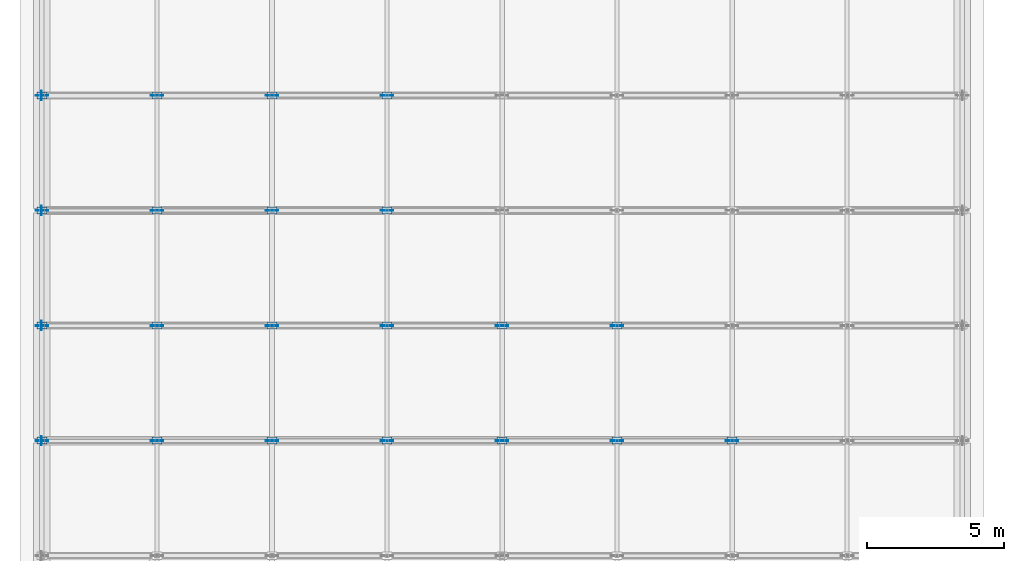
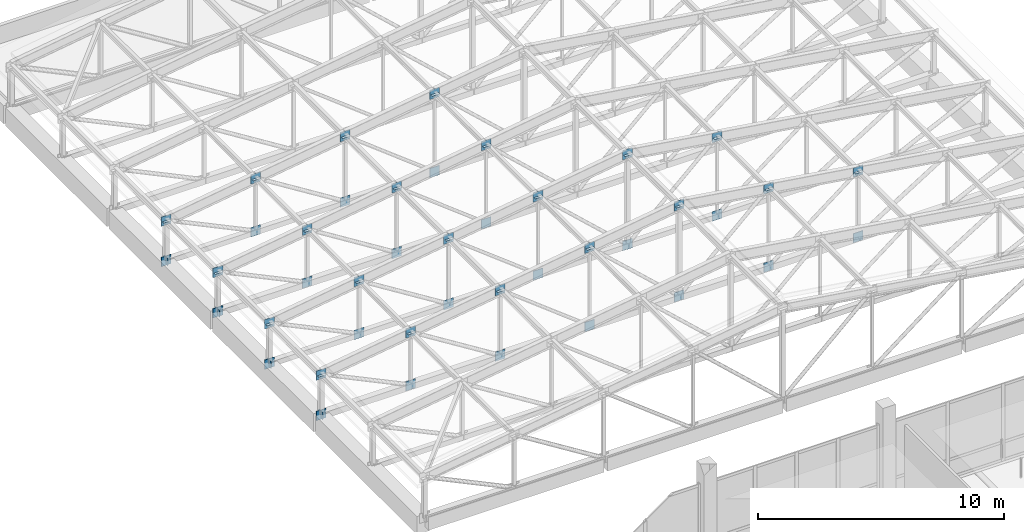
# One storey, part 49 of 122: 67 plates.
"""IFC4 building model written with IfcOpenShell, lengths in metres."""

from ifc_helpers import new_model, si_unit, direction, frame, origin, origin_2d, place, context, subcontext, project, spatial, rectangle, extrude, material, layer, layer_set, type_object, element, save


model = new_model("IFC4")

# Units and contexts
model_context = context("Model", 3, precision=1e-05, world=origin(), true_north=direction((0.0, 1.0)))
body_context = subcontext(model_context, "Body", "Model", "MODEL_VIEW")
ifc_project = project(units=[si_unit("LENGTHUNIT", "METRE"), si_unit("AREAUNIT", "SQUARE_METRE"), si_unit("VOLUMEUNIT", "CUBIC_METRE"), si_unit("PLANEANGLEUNIT", "RADIAN"), si_unit("MASSUNIT", "GRAM", prefix="KILO")], contexts=[model_context])

# Site, building, storey
site_placement = place(None, origin())
site = spatial("IfcSite", under=ifc_project, at=site_placement, CompositionType="ELEMENT")
building_placement = place(site_placement, origin())
building = spatial("IfcBuilding", under=site, at=building_placement, Name="Telukmera Botanical Conservatory", CompositionType="ELEMENT")
storey_placement = place(building_placement, frame((0.0, 0.0, 10.199951171875)))
storey = spatial("IfcBuildingStorey", under=building, at=storey_placement, Name="L02", CompositionType="ELEMENT", Elevation=10.199951171875)

# Plates
ifc_material = material(Name="Steel S355", Category="steel")
ifc_layer_1 = layer(ifc_material, 0.01611328125)
ifc_layer_set_1 = layer_set([ifc_layer_1], Name="Steel S355")
plate_type_1 = type_object("IfcPlateType", Name="Plate_CP1", PredefinedType="USERDEFINED", material=ifc_layer_set_1)
for number, where, z_axis, x_axis, name in (
    (1, (8.39990234375, 91.60009765625, 1.89404296875), (0.0, 0.0, 1.0), (1.0, 0.0, 0.0), "CP1 Truss Chord Node Cap Plate T3-T0"),
    (2, (12.60009765625, 91.60009765625, 2.521728515625), (0.0, 0.0, 1.0), (1.0, 0.0, 0.0), "CP1 Truss Chord Node Cap Plate T3-T1"),
    (3, (16.800048828125, 91.60009765625, 3.1494140625), (0.0, 0.0, 1.0), (1.0, 0.0, 0.0), "CP1 Truss Chord Node Cap Plate T3-T2"),
    (4, (21.0, 91.60009765625, 3.777099609375), (0.0, 0.0, 1.0), (1.0, 0.0, 0.0), "CP1 Truss Chord Node Cap Plate T3-T3"),
    (5, (25.199951171875, 91.60009765625, 4.40478515625), (0.0, 0.0, 1.0), (1.0, 0.0, 0.0), "CP1 Truss Chord Node Cap Plate T3-T4"),
    (6, (29.39990234375, 91.60009765625, 3.777099609375), (0.0, 0.0, 1.0), (1.0, 0.0, 0.0), "CP1 Truss Chord Node Cap Plate T3-T5"),
    (7, (33.60009765625, 91.60009765625, 3.1494140625), (0.0, 0.0, 1.0), (1.0, 0.0, 0.0), "CP1 Truss Chord Node Cap Plate T3-T6"),
):
    element("IfcPlate", number, at=place(storey_placement, frame(where, z_axis=z_axis, x_axis=x_axis)), inside=storey, type_object=plate_type_1, Name=name, ObjectType="CAP_PLATE", PredefinedType="USERDEFINED", context=body_context, shape_type="SweptSolid", body=[
        extrude(rectangle(XDim=0.360107421875, YDim=0.260009765625, at=origin_2d()), origin(), (0.0, 0.0, 1.0), 0.01611328125),
    ])
plate_1_placement = place(storey_placement, frame((8.39208984375, 91.60009765625, -0.25), z_axis=(0.0, 0.0, 1.0), x_axis=(1.0, 0.0, 0.0)))
element("IfcPlate", 8, at=plate_1_placement, inside=storey, type_object=plate_type_1, Name="CP1 Truss Bottom Chord End Cap T3-W", ObjectType="CAP_PLATE", PredefinedType="USERDEFINED", context=body_context, shape_type="SweptSolid", body=[
    extrude(rectangle(XDim=0.01611328125, YDim=0.340087890625, at=origin_2d()), origin(), (0.0, 0.0, 1.0), 0.340087890625),
])
for number, where, z_axis, x_axis, name in (
    (9, (8.39990234375, 95.800048828125, 1.89404296875), (0.0, 0.0, 1.0), (1.0, 0.0, 0.0), "CP1 Truss Chord Node Cap Plate T4-T0"),
    (10, (12.60009765625, 95.800048828125, 2.521728515625), (0.0, 0.0, 1.0), (1.0, 0.0, 0.0), "CP1 Truss Chord Node Cap Plate T4-T1"),
    (11, (16.800048828125, 95.800048828125, 3.1494140625), (0.0, 0.0, 1.0), (1.0, 0.0, 0.0), "CP1 Truss Chord Node Cap Plate T4-T2"),
    (12, (21.0, 95.800048828125, 3.777099609375), (0.0, 0.0, 1.0), (1.0, 0.0, 0.0), "CP1 Truss Chord Node Cap Plate T4-T3"),
    (13, (25.199951171875, 95.800048828125, 4.40478515625), (0.0, 0.0, 1.0), (1.0, 0.0, 0.0), "CP1 Truss Chord Node Cap Plate T4-T4"),
    (14, (29.39990234375, 95.800048828125, 3.777099609375), (0.0, 0.0, 1.0), (1.0, 0.0, 0.0), "CP1 Truss Chord Node Cap Plate T4-T5"),
):
    element("IfcPlate", number, at=place(storey_placement, frame(where, z_axis=z_axis, x_axis=x_axis)), inside=storey, type_object=plate_type_1, Name=name, ObjectType="CAP_PLATE", PredefinedType="USERDEFINED", context=body_context, shape_type="SweptSolid", body=[
        extrude(rectangle(XDim=0.360107421875, YDim=0.260009765625, at=origin_2d()), origin(), (0.0, 0.0, 1.0), 0.01611328125),
    ])
plate_2_placement = place(storey_placement, frame((8.39208984375, 95.800048828125, -0.25), z_axis=(0.0, 0.0, 1.0), x_axis=(1.0, 0.0, 0.0)))
element("IfcPlate", 15, at=plate_2_placement, inside=storey, type_object=plate_type_1, Name="CP1 Truss Bottom Chord End Cap T4-W", ObjectType="CAP_PLATE", PredefinedType="USERDEFINED", context=body_context, shape_type="SweptSolid", body=[
    extrude(rectangle(XDim=0.01611328125, YDim=0.340087890625, at=origin_2d()), origin(), (0.0, 0.0, 1.0), 0.340087890625),
])
for number, where, z_axis, x_axis, name in (
    (16, (8.39990234375, 100.0, 1.89404296875), (0.0, 0.0, 1.0), (1.0, 0.0, 0.0), "CP1 Truss Chord Node Cap Plate T5-T0"),
    (17, (12.60009765625, 100.0, 2.521728515625), (0.0, 0.0, 1.0), (1.0, 0.0, 0.0), "CP1 Truss Chord Node Cap Plate T5-T1"),
    (18, (16.800048828125, 100.0, 3.1494140625), (0.0, 0.0, 1.0), (1.0, 0.0, 0.0), "CP1 Truss Chord Node Cap Plate T5-T2"),
    (19, (21.0, 100.0, 3.777099609375), (0.0, 0.0, 1.0), (1.0, 0.0, 0.0), "CP1 Truss Chord Node Cap Plate T5-T3"),
):
    element("IfcPlate", number, at=place(storey_placement, frame(where, z_axis=z_axis, x_axis=x_axis)), inside=storey, type_object=plate_type_1, Name=name, ObjectType="CAP_PLATE", PredefinedType="USERDEFINED", context=body_context, shape_type="SweptSolid", body=[
        extrude(rectangle(XDim=0.360107421875, YDim=0.260009765625, at=origin_2d()), origin(), (0.0, 0.0, 1.0), 0.01611328125),
    ])
plate_3_placement = place(storey_placement, frame((8.39208984375, 100.0, -0.25), z_axis=(0.0, 0.0, 1.0), x_axis=(1.0, 0.0, 0.0)))
element("IfcPlate", 20, at=plate_3_placement, inside=storey, type_object=plate_type_1, Name="CP1 Truss Bottom Chord End Cap T5-W", ObjectType="CAP_PLATE", PredefinedType="USERDEFINED", context=body_context, shape_type="SweptSolid", body=[
    extrude(rectangle(XDim=0.01611328125, YDim=0.340087890625, at=origin_2d()), origin(), (0.0, 0.0, 1.0), 0.340087890625),
])
for number, where, z_axis, x_axis, name in (
    (21, (8.39990234375, 104.199951171875, 1.89404296875), (0.0, 0.0, 1.0), (1.0, 0.0, 0.0), "CP1 Truss Chord Node Cap Plate T6-T0"),
    (22, (12.60009765625, 104.199951171875, 2.521728515625), (0.0, 0.0, 1.0), (1.0, 0.0, 0.0), "CP1 Truss Chord Node Cap Plate T6-T1"),
    (23, (16.800048828125, 104.199951171875, 3.1494140625), (0.0, 0.0, 1.0), (1.0, 0.0, 0.0), "CP1 Truss Chord Node Cap Plate T6-T2"),
    (24, (21.0, 104.199951171875, 3.777099609375), (0.0, 0.0, 1.0), (1.0, 0.0, 0.0), "CP1 Truss Chord Node Cap Plate T6-T3"),
):
    element("IfcPlate", number, at=place(storey_placement, frame(where, z_axis=z_axis, x_axis=x_axis)), inside=storey, type_object=plate_type_1, Name=name, ObjectType="CAP_PLATE", PredefinedType="USERDEFINED", context=body_context, shape_type="SweptSolid", body=[
        extrude(rectangle(XDim=0.360107421875, YDim=0.260009765625, at=origin_2d()), origin(), (0.0, 0.0, 1.0), 0.01611328125),
    ])
plate_4_placement = place(storey_placement, frame((8.39208984375, 104.199951171875, -0.25), z_axis=(0.0, 0.0, 1.0), x_axis=(1.0, 0.0, 0.0)))
element("IfcPlate", 25, at=plate_4_placement, inside=storey, type_object=plate_type_1, Name="CP1 Truss Bottom Chord End Cap T6-W", ObjectType="CAP_PLATE", PredefinedType="USERDEFINED", context=body_context, shape_type="SweptSolid", body=[
    extrude(rectangle(XDim=0.01611328125, YDim=0.340087890625, at=origin_2d()), origin(), (0.0, 0.0, 1.0), 0.340087890625),
])
ifc_layer_2 = layer(ifc_material, 0.028076171875)
ifc_layer_set_2 = layer_set([ifc_layer_2], Name="Steel S355")
plate_type_2 = type_object("IfcPlateType", Name="Plate_TP1", PredefinedType="USERDEFINED", material=ifc_layer_set_2)
for number, where, z_axis, x_axis, name in (
    (26, (8.39990234375, 91.60009765625, -0.309814453125), (0.0, 0.0, 1.0), (1.0, 0.0, 0.0), "TP1 Auditorium Truss Welded Node T3-B0"),
    (27, (8.39990234375, 91.60009765625, 1.690185546875), (0.0, 0.0, 1.0), (1.0, 0.0, 0.0), "TP1 Auditorium Truss Welded Node T3-T0"),
    (28, (12.60009765625, 91.60009765625, -0.309814453125), (0.0, 0.0, 1.0), (1.0, 0.0, 0.0), "TP1 Auditorium Truss Welded Node T3-B1"),
    (29, (12.60009765625, 91.60009765625, 2.31787109375), (0.0, 0.0, 1.0), (1.0, 0.0, 0.0), "TP1 Auditorium Truss Welded Node T3-T1"),
    (30, (16.800048828125, 91.60009765625, -0.309814453125), (0.0, 0.0, 1.0), (1.0, 0.0, 0.0), "TP1 Auditorium Truss Welded Node T3-B2"),
    (31, (16.800048828125, 91.60009765625, 2.945556640625), (0.0, 0.0, 1.0), (1.0, 0.0, 0.0), "TP1 Auditorium Truss Welded Node T3-T2"),
    (32, (21.0, 91.60009765625, -0.309814453125), (0.0, 0.0, 1.0), (1.0, 0.0, 0.0), "TP1 Auditorium Truss Welded Node T3-B3"),
    (33, (21.0, 91.60009765625, 3.5732421875), (0.0, 0.0, 1.0), (1.0, 0.0, 0.0), "TP1 Auditorium Truss Welded Node T3-T3"),
    (34, (25.199951171875, 91.60009765625, -0.309814453125), (0.0, 0.0, 1.0), (1.0, 0.0, 0.0), "TP1 Auditorium Truss Welded Node T3-B4"),
    (35, (25.199951171875, 91.60009765625, 4.200927734375), (0.0, 0.0, 1.0), (1.0, 0.0, 0.0), "TP1 Auditorium Truss Welded Node T3-T4"),
    (36, (29.39990234375, 91.60009765625, -0.309814453125), (0.0, 0.0, 1.0), (1.0, 0.0, 0.0), "TP1 Auditorium Truss Welded Node T3-B5"),
    (37, (29.39990234375, 91.60009765625, 3.5732421875), (0.0, 0.0, 1.0), (1.0, 0.0, 0.0), "TP1 Auditorium Truss Welded Node T3-T5"),
    (38, (33.60009765625, 91.60009765625, -0.309814453125), (0.0, 0.0, 1.0), (1.0, 0.0, 0.0), "TP1 Auditorium Truss Welded Node T3-B6"),
    (39, (33.60009765625, 91.60009765625, 2.945556640625), (0.0, 0.0, 1.0), (1.0, 0.0, 0.0), "TP1 Auditorium Truss Welded Node T3-T6"),
    (40, (8.39990234375, 95.800048828125, -0.309814453125), (0.0, 0.0, 1.0), (1.0, 0.0, 0.0), "TP1 Auditorium Truss Welded Node T4-B0"),
    (41, (8.39990234375, 95.800048828125, 1.690185546875), (0.0, 0.0, 1.0), (1.0, 0.0, 0.0), "TP1 Auditorium Truss Welded Node T4-T0"),
    (42, (12.60009765625, 95.800048828125, -0.309814453125), (0.0, 0.0, 1.0), (1.0, 0.0, 0.0), "TP1 Auditorium Truss Welded Node T4-B1"),
    (43, (12.60009765625, 95.800048828125, 2.31787109375), (0.0, 0.0, 1.0), (1.0, 0.0, 0.0), "TP1 Auditorium Truss Welded Node T4-T1"),
    (44, (16.800048828125, 95.800048828125, -0.309814453125), (0.0, 0.0, 1.0), (1.0, 0.0, 0.0), "TP1 Auditorium Truss Welded Node T4-B2"),
    (45, (16.800048828125, 95.800048828125, 2.945556640625), (0.0, 0.0, 1.0), (1.0, 0.0, 0.0), "TP1 Auditorium Truss Welded Node T4-T2"),
    (46, (21.0, 95.800048828125, -0.309814453125), (0.0, 0.0, 1.0), (1.0, 0.0, 0.0), "TP1 Auditorium Truss Welded Node T4-B3"),
    (47, (21.0, 95.800048828125, 3.5732421875), (0.0, 0.0, 1.0), (1.0, 0.0, 0.0), "TP1 Auditorium Truss Welded Node T4-T3"),
    (48, (25.199951171875, 95.800048828125, -0.309814453125), (0.0, 0.0, 1.0), (1.0, 0.0, 0.0), "TP1 Auditorium Truss Welded Node T4-B4"),
    (49, (25.199951171875, 95.800048828125, 4.200927734375), (0.0, 0.0, 1.0), (1.0, 0.0, 0.0), "TP1 Auditorium Truss Welded Node T4-T4"),
    (50, (29.39990234375, 95.800048828125, -0.309814453125), (0.0, 0.0, 1.0), (1.0, 0.0, 0.0), "TP1 Auditorium Truss Welded Node T4-B5"),
    (51, (29.39990234375, 95.800048828125, 3.5732421875), (0.0, 0.0, 1.0), (1.0, 0.0, 0.0), "TP1 Auditorium Truss Welded Node T4-T5"),
    (52, (8.39990234375, 100.0, -0.309814453125), (0.0, 0.0, 1.0), (1.0, 0.0, 0.0), "TP1 Auditorium Truss Welded Node T5-B0"),
    (53, (8.39990234375, 100.0, 1.690185546875), (0.0, 0.0, 1.0), (1.0, 0.0, 0.0), "TP1 Auditorium Truss Welded Node T5-T0"),
    (54, (12.60009765625, 100.0, -0.309814453125), (0.0, 0.0, 1.0), (1.0, 0.0, 0.0), "TP1 Auditorium Truss Welded Node T5-B1"),
    (55, (12.60009765625, 100.0, 2.31787109375), (0.0, 0.0, 1.0), (1.0, 0.0, 0.0), "TP1 Auditorium Truss Welded Node T5-T1"),
    (56, (16.800048828125, 100.0, -0.309814453125), (0.0, 0.0, 1.0), (1.0, 0.0, 0.0), "TP1 Auditorium Truss Welded Node T5-B2"),
    (57, (16.800048828125, 100.0, 2.945556640625), (0.0, 0.0, 1.0), (1.0, 0.0, 0.0), "TP1 Auditorium Truss Welded Node T5-T2"),
    (58, (21.0, 100.0, -0.309814453125), (0.0, 0.0, 1.0), (1.0, 0.0, 0.0), "TP1 Auditorium Truss Welded Node T5-B3"),
    (59, (21.0, 100.0, 3.5732421875), (0.0, 0.0, 1.0), (1.0, 0.0, 0.0), "TP1 Auditorium Truss Welded Node T5-T3"),
    (60, (8.39990234375, 104.199951171875, -0.309814453125), (0.0, 0.0, 1.0), (1.0, 0.0, 0.0), "TP1 Auditorium Truss Welded Node T6-B0"),
    (61, (8.39990234375, 104.199951171875, 1.690185546875), (0.0, 0.0, 1.0), (1.0, 0.0, 0.0), "TP1 Auditorium Truss Welded Node T6-T0"),
    (62, (12.60009765625, 104.199951171875, -0.309814453125), (0.0, 0.0, 1.0), (1.0, 0.0, 0.0), "TP1 Auditorium Truss Welded Node T6-B1"),
    (63, (12.60009765625, 104.199951171875, 2.31787109375), (0.0, 0.0, 1.0), (1.0, 0.0, 0.0), "TP1 Auditorium Truss Welded Node T6-T1"),
    (64, (16.800048828125, 104.199951171875, -0.309814453125), (0.0, 0.0, 1.0), (1.0, 0.0, 0.0), "TP1 Auditorium Truss Welded Node T6-B2"),
    (65, (16.800048828125, 104.199951171875, 2.945556640625), (0.0, 0.0, 1.0), (1.0, 0.0, 0.0), "TP1 Auditorium Truss Welded Node T6-T2"),
    (66, (21.0, 104.199951171875, -0.309814453125), (0.0, 0.0, 1.0), (1.0, 0.0, 0.0), "TP1 Auditorium Truss Welded Node T6-B3"),
    (67, (21.0, 104.199951171875, 3.5732421875), (0.0, 0.0, 1.0), (1.0, 0.0, 0.0), "TP1 Auditorium Truss Welded Node T6-T3"),
):
    element("IfcPlate", number, at=place(storey_placement, frame(where, z_axis=z_axis, x_axis=x_axis)), inside=storey, type_object=plate_type_2, Name=name, ObjectType="GUSSET_PLATE", PredefinedType="USERDEFINED", context=body_context, shape_type="SweptSolid", body=[
        extrude(rectangle(XDim=0.4599609375, YDim=0.028076171875, at=origin_2d()), origin(), (0.0, 0.0, 1.0), 0.4599609375),
    ])

save(model, "model.ifc")
